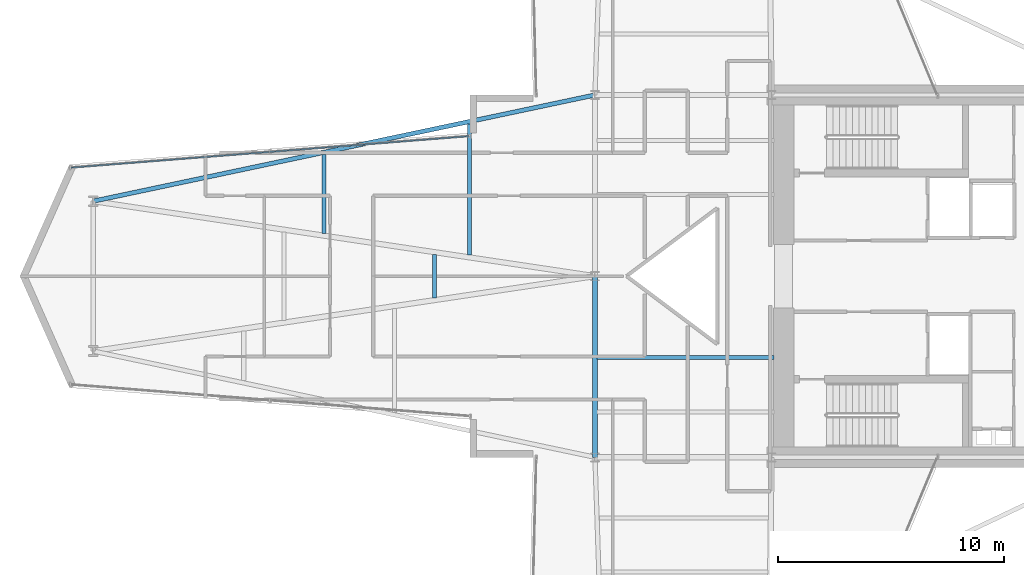
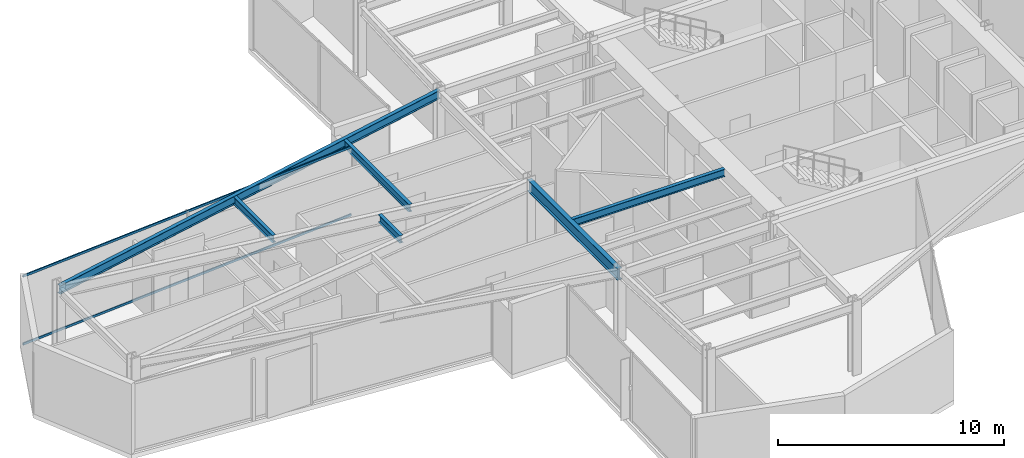
# One storey, part 8 of 25: 6 beams, 2 members, 1 element without a shape of its own.
"""IFC4 building model written with IfcOpenShell, lengths in metres."""

from ifc_helpers import new_model, si_unit, direction, frame, origin, origin_2d, place, context, subcontext, project, spatial, hollow_rectangle, i_section, extrude, material, layer, layer_set, material_profile, profile_set, type_object, element, aggregate, save


model = new_model("IFC4")

# Units and contexts
model_context = context("Model", 3, precision=1e-05, world=origin(), true_north=direction((0.0, 1.0)))
body_context = subcontext(model_context, "Body", "Model", "MODEL_VIEW")
ifc_project = project(units=[si_unit("LENGTHUNIT", "METRE"), si_unit("AREAUNIT", "SQUARE_METRE"), si_unit("VOLUMEUNIT", "CUBIC_METRE"), si_unit("PLANEANGLEUNIT", "RADIAN"), si_unit("MASSUNIT", "GRAM", prefix="KILO")], contexts=[model_context])

# Site, building, storey
site_placement = place(None, origin())
site = spatial("IfcSite", under=ifc_project, at=site_placement, CompositionType="ELEMENT")
building_placement = place(site_placement, origin())
building = spatial("IfcBuilding", under=site, at=building_placement, Name="Veymaron Broadcast Tower", CompositionType="ELEMENT")
storey_placement = place(building_placement, frame((0.0, 0.0, 74.25)))
storey = spatial("IfcBuildingStorey", under=building, at=storey_placement, Name="L16", CompositionType="ELEMENT", Elevation=74.25)

# Beams
ifc_material_1 = material(Name="Structural steel ASTM A992 Gr 50", Category="steel")
ifc_material_profile_1 = material_profile(ifc_material_1, i_section(OverallWidth=0.22998046875, OverallDepth=0.616943359375, WebThickness=0.01318359375, FlangeThickness=0.022216796875, at=origin_2d()), Name="W610X140")
ifc_profile_set_1 = profile_set([ifc_material_profile_1], Name="Structural steel ASTM A992 Gr 50")
beam_type_1 = type_object("IfcBeamType", Name="BM-FG1", PredefinedType="BEAM", material=ifc_profile_set_1)
beam_1_placement = place(storey_placement, frame((31.199951171875, 16.0, 3.50146484375), z_axis=(0.0, 1.0, 0.0), x_axis=(-1.0, 0.0, 0.0)))
element("IfcBeam", 1, at=beam_1_placement, inside=storey, type_object=beam_type_1, Name="L16 primary structural floor girder", PredefinedType="BEAM", context=body_context, shape_type="SweptSolid", body=[
    extrude(i_section(OverallWidth=0.22998046875, OverallDepth=0.616943359375, WebThickness=0.01318359375, FlangeThickness=0.022216796875, at=origin_2d()), origin(), (0.0, 0.0, 1.0), 8.0),
])
ifc_material_profile_2 = material_profile(ifc_material_1, i_section(OverallWidth=0.177978515625, OverallDepth=0.406982421875, WebThickness=0.0078125, FlangeThickness=0.0126953125, at=origin_2d()), Name="W410X60")
ifc_profile_set_2 = profile_set([ifc_material_profile_2], Name="Structural steel ASTM A992 Gr 50")
beam_type_2 = type_object("IfcBeamType", Name="BM-JS1", PredefinedType="JOIST", material=ifc_profile_set_2)
beam_2_placement = place(storey_placement, frame((19.234619140625, 25.887451171875, 3.6064453125), z_axis=(0.0, 1.0, 0.0), x_axis=(-1.0, 0.0, 0.0)))
element("IfcBeam", 2, at=beam_2_placement, inside=storey, type_object=beam_type_2, Name="L16 Arm-A secondary joist 1N", PredefinedType="JOIST", context=body_context, shape_type="SweptSolid", body=[
    extrude(i_section(OverallWidth=0.177978515625, OverallDepth=0.406982421875, WebThickness=0.0078125, FlangeThickness=0.0126953125, at=origin_2d()), origin(), (0.0, 0.0, 1.0), 3.47998046875),
])
beam_3_placement = place(storey_placement, frame((24.109375, 23.040771484375, 3.6064453125), z_axis=(0.0, 1.0, 0.0), x_axis=(-1.0, 0.0, 0.0)))
element("IfcBeam", 3, at=beam_3_placement, inside=storey, type_object=beam_type_2, Name="L16 Arm-A secondary joist 2M", PredefinedType="JOIST", context=body_context, shape_type="SweptSolid", body=[
    extrude(i_section(OverallWidth=0.177978515625, OverallDepth=0.406982421875, WebThickness=0.0078125, FlangeThickness=0.0126953125, at=origin_2d()), origin(), (0.0, 0.0, 1.0), 1.91845703125),
])
beam_4_placement = place(storey_placement, frame((25.660400390625, 24.927490234375, 3.6064453125), z_axis=(0.0, 1.0, 0.0), x_axis=(-1.0, 0.0, 0.0)))
element("IfcBeam", 4, at=beam_4_placement, inside=storey, type_object=beam_type_2, Name="L16 Arm-A secondary joist 2N", PredefinedType="JOIST", context=body_context, shape_type="SweptSolid", body=[
    extrude(i_section(OverallWidth=0.177978515625, OverallDepth=0.406982421875, WebThickness=0.0078125, FlangeThickness=0.0126953125, at=origin_2d()), origin(), (0.0, 0.0, 1.0), 5.800048828125),
])
beam_5_placement = place(storey_placement, frame((31.300048828125, 20.39990234375, 3.6064453125), z_axis=(1.0, 0.0, 0.0), x_axis=(0.0, 1.0, 0.0)))
element("IfcBeam", 5, at=beam_5_placement, inside=storey, type_object=beam_type_2, Name="L16 Hub secondary joist 2", PredefinedType="JOIST", context=body_context, shape_type="SweptSolid", body=[
    extrude(i_section(OverallWidth=0.177978515625, OverallDepth=0.406982421875, WebThickness=0.0078125, FlangeThickness=0.0126953125, at=origin_2d()), origin(), (0.0, 0.0, 1.0), 7.800048828125),
])
ifc_material_profile_3 = material_profile(ifc_material_1, i_section(OverallWidth=0.19091796875, OverallDepth=0.4599609375, WebThickness=0.010009765625, FlangeThickness=0.01611328125, at=origin_2d()), Name="W460X82")
ifc_profile_set_3 = profile_set([ifc_material_profile_3], Name="Structural steel ASTM A992 Gr 50")
beam_type_3 = type_object("IfcBeamType", Name="BM-SP1", PredefinedType="SPANDREL", material=ifc_profile_set_3)
beam_6_placement = place(storey_placement, frame((9.0419921875, 27.31005859375, 3.580078125), z_axis=(0.978325730087, 0.207071885708, 0.0), x_axis=(-0.207071885708, 0.978325730087, 0.0)))
element("IfcBeam", 6, at=beam_6_placement, inside=storey, type_object=beam_type_3, Name="L16 primary structural floor girder", PredefinedType="SPANDREL", context=body_context, shape_type="SweptSolid", body=[
    extrude(i_section(OverallWidth=0.19091796875, OverallDepth=0.4599609375, WebThickness=0.010009765625, FlangeThickness=0.01611328125, at=origin_2d()), origin(), (0.0, 0.0, 1.0), 22.64892578125),
])

# Curtain wall, members
ifc_material_2 = material(Name="Anodised aluminium AA 6063-T6 and laminated low-E dark glass", Category="aluminium")
ifc_layer = layer(ifc_material_2, 0.179931640625)
ifc_layer_set = layer_set([ifc_layer], Name="Anodised aluminium AA 6063-T6 and laminated low-E dark glass")
curtain_wall_type = type_object("IfcCurtainWallType", Name="CW-SYS-02", PredefinedType="NOTDEFINED", material=ifc_layer_set)
curtain_wall_placement = place(storey_placement, origin())
curtain_wall = element("IfcCurtainWall", 7, at=curtain_wall_placement, inside=storey, type_object=curtain_wall_type, Name="L16 dark-glass curtain wall CW-L16-E11-1", PredefinedType="NOTDEFINED")
ifc_material_3 = material(Name="Anodised aluminium AA 6063-T6", Category="aluminium")
ifc_material_profile_4 = material_profile(ifc_material_3, hollow_rectangle(XDim=0.06005859375, YDim=0.1201171875, WallThickness=0.00390625, at=origin_2d()), Name="AL120X60X4")
ifc_profile_set_4 = profile_set([ifc_material_profile_4], Name="Anodised aluminium AA 6063-T6")
member_type = type_object("IfcMemberType", Name="CW-TRN-02", PredefinedType="USERDEFINED", material=ifc_profile_set_4)
member_1_placement = place(storey_placement, frame((25.649169921875, 30.18115234375, 0.070068359375), z_axis=(-0.996892203144, -0.078777758981, 0.0), x_axis=(0.078777758981, -0.996892203144, 0.0)))
member_1 = element("IfcMember", 8, at=member_1_placement, type_object=member_type, Name="CW-L16-E11-1 transom B", ObjectType="TRANSOM", PredefinedType="USERDEFINED", context=body_context, shape_type="SweptSolid", body=[
    extrude(hollow_rectangle(XDim=0.06005859375, YDim=0.1201171875, WallThickness=0.00390625, at=origin_2d()), origin(), (0.0, 0.0, 1.0), 17.643310546875),
])
member_2_placement = place(storey_placement, frame((25.649169921875, 30.18115234375, 3.739990234375), z_axis=(-0.996892203144, -0.078777758981, 0.0), x_axis=(0.078777758981, -0.996892203144, 0.0)))
member_2 = element("IfcMember", 9, at=member_2_placement, type_object=member_type, Name="CW-L16-E11-1 transom T", ObjectType="TRANSOM", PredefinedType="USERDEFINED", context=body_context, shape_type="SweptSolid", body=[
    extrude(hollow_rectangle(XDim=0.06005859375, YDim=0.1201171875, WallThickness=0.00390625, at=origin_2d()), origin(), (0.0, 0.0, 1.0), 17.643310546875),
])
aggregate(curtain_wall, [member_1, member_2])

save(model, "model.ifc")
